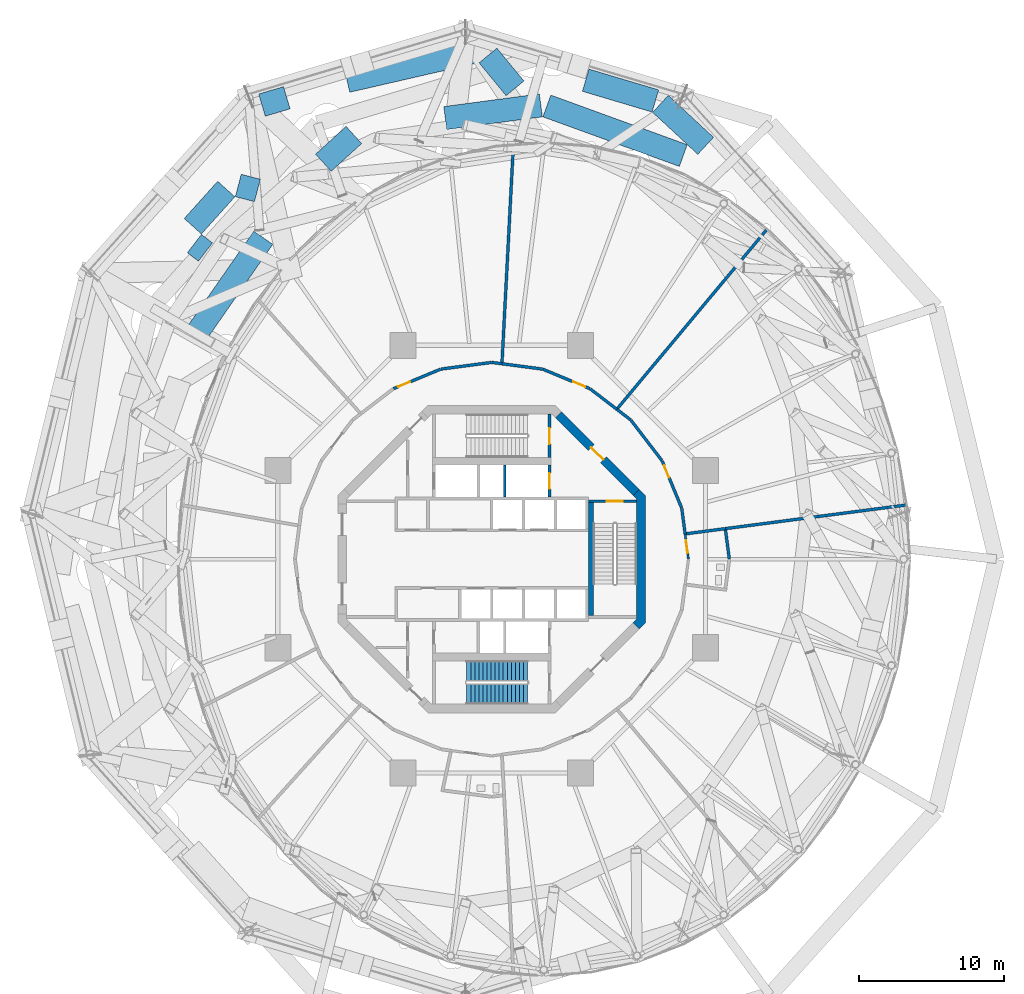
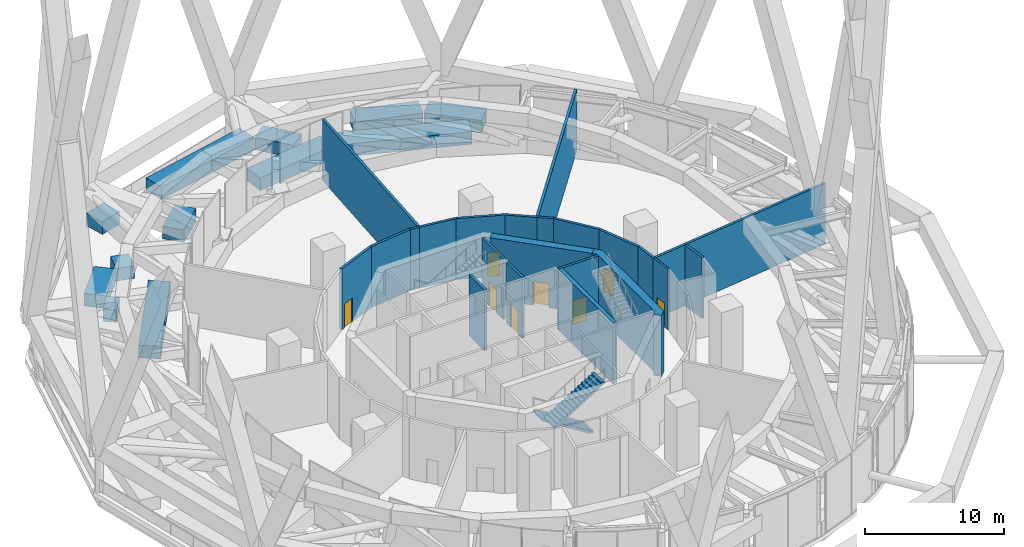
# One storey, part 51 of 60: 35 walls, 8 doors, 2 stair flights, 8 openings, 1 element without a shape of its own.
"""IFC4 building model written with IfcOpenShell, lengths in metres."""

import ifcopenshell
import ifcopenshell.guid

model = None  # the IFC model being written
_history = None  # IfcOwnerHistory: only IFC2X3 demands one
_inside = {}  # id of a spatial element -> (the spatial element, [elements in it])
_under = {}  # id of a project, library or spatial element -> (it, [spatial elements below it])
_declared = {}  # id of a project -> (the project, [libraries it declares])
_typed = {}  # id of a type object -> (the type object, [elements of that type])
_made_of = {}  # id of a material, layer set ... -> (it, [elements and type objects made of it])


def new_model(schema):
    """Start an empty IFC model of exactly this schema.

    Asked for "IFC4X3", IfcOpenShell would pick the latest addendum, in which some entities
    have other attributes; the version numbers below select the first issue.
    IFC2X3 requires an IfcOwnerHistory on every rooted entity: one is made here for all.
    """
    global model, _history
    if schema == "IFC4X3":
        model = ifcopenshell.file(schema_version=(4, 3, 0, 0))
    else:
        model = ifcopenshell.file(schema=schema)
    _inside.clear()
    _under.clear()
    _declared.clear()
    _typed.clear()
    _made_of.clear()
    _history = None
    if model.schema == "IFC2X3":
        org = make("IfcOrganization", Name="unknown")
        user = make(
            "IfcPersonAndOrganization",
            ThePerson=make("IfcPerson", FamilyName="unknown"),
            TheOrganization=org,
        )
        app = make(
            "IfcApplication",
            ApplicationDeveloper=org,
            Version="unknown",
            ApplicationFullName="unknown",
            ApplicationIdentifier="unknown",
        )
        _history = make(
            "IfcOwnerHistory",
            OwningUser=user,
            OwningApplication=app,
            ChangeAction="ADDED",
            CreationDate=0,
        )
    return model


def make(cls, **values):
    """One entity of the class cls with the attributes given. An attribute that is None is left unset."""
    return model.create_entity(
        cls, **{name: value for name, value in values.items() if value is not None}
    )


def rooted(cls, **values):
    """An entity with a GlobalId (a new one), such as an element, a storey or a relation."""
    return make(cls, GlobalId=ifcopenshell.guid.new(), OwnerHistory=_history, **values)


def si_unit(unit_type, name, prefix=None):
    """IfcSIUnit, for example si_unit("LENGTHUNIT", "METRE", prefix="MILLI")."""
    return make("IfcSIUnit", UnitType=unit_type, Prefix=prefix, Name=name)


def assignment(units):
    """IfcUnitAssignment: the units of a project."""
    return None if units is None else make("IfcUnitAssignment", Units=units)


def point(xyz):
    """IfcCartesianPoint."""
    return None if xyz is None else make("IfcCartesianPoint", Coordinates=xyz)


def direction(xyz):
    """IfcDirection."""
    return None if xyz is None else make("IfcDirection", DirectionRatios=xyz)


def frame(location, z_axis=None, x_axis=None):
    """IfcAxis2Placement3D, a coordinate frame: its origin and axes. An axis left out is left unset."""
    return make(
        "IfcAxis2Placement3D",
        Location=point(location),
        Axis=direction(z_axis),
        RefDirection=direction(x_axis),
    )


def frame_2d(location, x_axis=None):
    """IfcAxis2Placement2D, a coordinate frame in the plane: its origin and x axis."""
    return make(
        "IfcAxis2Placement2D", Location=point(location), RefDirection=direction(x_axis)
    )


def origin():
    """The frame at (0, 0, 0) with its axes left unset."""
    return frame((0.0, 0.0, 0.0))


def place(relative_to, where):
    """IfcLocalPlacement: puts the frame where relative to a parent placement (None: the world)."""
    return make(
        "IfcLocalPlacement", PlacementRelTo=relative_to, RelativePlacement=where
    )


def context(
    kind, dimensions, precision=None, world=None, true_north=None, identifier=None
):
    """IfcGeometricRepresentationContext, for example the 3D "Model" context."""
    return make(
        "IfcGeometricRepresentationContext",
        ContextIdentifier=identifier,
        ContextType=kind,
        CoordinateSpaceDimension=dimensions,
        Precision=precision,
        WorldCoordinateSystem=world,
        TrueNorth=true_north,
    )


def subcontext(parent, identifier, kind, view, scale=None):
    """IfcGeometricRepresentationSubContext, for example "Body" below "Model"."""
    return make(
        "IfcGeometricRepresentationSubContext",
        ContextIdentifier=identifier,
        ContextType=kind,
        ParentContext=parent,
        TargetScale=scale,
        TargetView=view,
    )


def project(units=None, contexts=None):
    """IfcProject with its units and contexts."""
    return rooted(
        "IfcProject",
        Name="project",
        RepresentationContexts=contexts,
        UnitsInContext=assignment(units),
    )


def spatial(cls, under=None, at=None, **own):
    """A site, building, storey or space (cls), placed at a placement, below another one or the project."""
    s = rooted(cls, ObjectPlacement=at, **own)
    if under is not None:
        _under.setdefault(under.id(), (under, []))[1].append(s)
    return s


def polyline(points):
    """IfcPolyline through the points."""
    return make("IfcPolyline", Points=[point(p) for p in points])


def profile(cls, at=None, kind="AREA", **sizes):
    """A parametric profile (cls). Its sizes go by their IFC names, for example OverallWidth=200.0."""
    return make(cls, ProfileType=kind, Position=at, **sizes)


def rectangle(**sizes):
    """IfcRectangleProfileDef."""
    return profile("IfcRectangleProfileDef", **sizes)


def outline(outer, holes=None, kind="AREA"):
    """IfcArbitraryClosedProfileDef: a profile drawn as a closed curve; with holes, ...WithVoids."""
    if holes is None:
        return make("IfcArbitraryClosedProfileDef", ProfileType=kind, OuterCurve=outer)
    return make(
        "IfcArbitraryProfileDefWithVoids",
        ProfileType=kind,
        OuterCurve=outer,
        InnerCurves=holes,
    )


def extrude(swept, where, along, depth):
    """IfcExtrudedAreaSolid: the profile swept, set in the frame where, extruded along a direction by depth."""
    return make(
        "IfcExtrudedAreaSolid",
        SweptArea=swept,
        Position=where,
        ExtrudedDirection=direction(along),
        Depth=depth,
    )


def shape(context_of_items, identifier, shape_type, items):
    """IfcShapeRepresentation: the items that make up one representation, for example the "Body"."""
    return make(
        "IfcShapeRepresentation",
        ContextOfItems=context_of_items,
        RepresentationIdentifier=identifier,
        RepresentationType=shape_type,
        Items=items,
    )


def material(Name=None, Category=None):
    """IfcMaterial."""
    return make("IfcMaterial", Name=Name, Category=Category)


def layer(
    of_material, thickness, ventilated=None, Name=None, Category=None, Priority=None
):
    """IfcMaterialLayer: one layer of a wall or slab, of a material (None: an air gap)."""
    return make(
        "IfcMaterialLayer",
        Material=of_material,
        LayerThickness=thickness,
        IsVentilated=ventilated,
        Name=Name,
        Category=Category,
        Priority=Priority,
    )


def layer_set(layers, Name=None):
    """IfcMaterialLayerSet."""
    return make("IfcMaterialLayerSet", MaterialLayers=layers, LayerSetName=Name)


def made_of(thing, what):
    """Note that an element or type object is made of a material, layer set ...; save() writes the relation."""
    if what is not None:
        _made_of.setdefault(what.id(), (what, []))[1].append(thing)
    return thing


def type_object(cls, material=None, **own):
    """A type object (cls), such as IfcWallType, which elements share."""
    return made_of(rooted(cls, **own), material)


def element(
    cls,
    number,
    at=None,
    inside=None,
    cuts=None,
    type_object=None,
    material=None,
    context=None,
    identifier="Body",
    shape_type=None,
    held_by="IfcProductDefinitionShape",
    body=None,
    shapes=None,
    **own,
):
    """One element of the class cls, such as IfcWall. Its Tag is "e" and its number.

    at: its placement. inside: the storey or other place that contains it. cuts: it is an
    opening in that element (IfcRelVoidsElement). A single representation is given by context,
    identifier, shape_type and body (its items); several are given by shapes. held_by: the class
    of the entity that holds the representations. save() writes the other relations.
    """
    e = rooted(cls, Tag="e%d" % number, ObjectPlacement=at, **own)
    if body is not None:
        shapes = [shape(context, identifier, shape_type, body)]
    if shapes is not None:
        e.Representation = make(held_by, Representations=shapes)
    if inside is not None:
        _inside.setdefault(inside.id(), (inside, []))[1].append(e)
    if cuts is not None:
        rooted(
            "IfcRelVoidsElement", RelatingBuildingElement=cuts, RelatedOpeningElement=e
        )
    if type_object is not None:
        _typed.setdefault(type_object.id(), (type_object, []))[1].append(e)
    return made_of(e, material)


def fill(opening, filler):
    """IfcRelFillsElement: the door or window that sits in an opening."""
    return rooted(
        "IfcRelFillsElement",
        RelatingOpeningElement=opening,
        RelatedBuildingElement=filler,
    )


def aggregate(whole, parts):
    """IfcRelAggregates: a whole, such as a stair, and the parts it consists of."""
    return rooted("IfcRelAggregates", RelatingObject=whole, RelatedObjects=parts)


def save(model, path):
    """Write the relations noted so far, then the file.

    IfcRelAggregates (storeys below a building ...), IfcRelContainedInSpatialStructure (elements
    in a storey), IfcRelDefinesByType, IfcRelAssociatesMaterial and IfcRelDeclares: one each for
    every whole, place, type object, material and project.
    """
    for whole, parts in _under.values():
        aggregate(whole, parts)
    for where, things in _inside.values():
        rooted(
            "IfcRelContainedInSpatialStructure",
            RelatedElements=things,
            RelatingStructure=where,
        )
    for kind, things in _typed.values():
        rooted("IfcRelDefinesByType", RelatedObjects=things, RelatingType=kind)
    for what, things in _made_of.values():
        rooted("IfcRelAssociatesMaterial", RelatedObjects=things, RelatingMaterial=what)
    for by, libraries in _declared.values():
        rooted("IfcRelDeclares", RelatingContext=by, RelatedDefinitions=libraries)
    model.write(path)


model = new_model("IFC4")

# Units and contexts
model_context = context("Model", 3, precision=1e-05, world=origin(), true_north=direction((0.0, 1.0)))
body_context = subcontext(model_context, "Body", "Model", "MODEL_VIEW")
ifc_project = project(units=[si_unit("LENGTHUNIT", "METRE"), si_unit("AREAUNIT", "SQUARE_METRE"), si_unit("VOLUMEUNIT", "CUBIC_METRE"), si_unit("PLANEANGLEUNIT", "RADIAN"), si_unit("MASSUNIT", "GRAM", prefix="KILO")], contexts=[model_context])

# Site, building, storey
site_placement = place(None, origin())
site = spatial("IfcSite", under=ifc_project, at=site_placement, CompositionType="ELEMENT")
building_placement = place(site_placement, origin())
building = spatial("IfcBuilding", under=site, at=building_placement, Name="Nagisa Residences", CompositionType="ELEMENT")
storey_placement = place(building_placement, frame((0.0, 0.0, 206.60009765625)))
storey = spatial("IfcBuildingStorey", under=building, at=storey_placement, Name="L52", CompositionType="ELEMENT", Elevation=206.60009765625)

# Wall, opening, door
ifc_material_1 = material(Name="Concrete C60", Category="concrete")
ifc_layer_1 = layer(ifc_material_1, 0.60009765625)
ifc_layer_set_1 = layer_set([ifc_layer_1], Name="Core shear wall 600")
wall_type_1 = type_object("IfcWallType", Name="Core shear wall 600", PredefinedType="SHEAR", material=ifc_layer_set_1)
wall_1_placement = place(storey_placement, frame((9.98828125, 4.613037109375, 0.0), z_axis=(0.0, 0.0, 1.0), x_axis=(-0.707106781187, 0.707106781187, 0.0)))
wall_1 = element("IfcWall", 1, at=wall_1_placement, inside=storey, type_object=wall_type_1, Name="wall:L52:core:flat1", PredefinedType="SHEAR", context=body_context, shape_type="SweptSolid", body=[
    extrude(rectangle(XDim=7.601806640625, YDim=0.60009765625, at=frame_2d((3.80078125, 0.0))), origin(), (0.0, 0.0, 1.0), 5.33984375),
])
opening_1_placement = place(wall_1_placement, frame((3.200927734375, 0.0, 0.0)))
opening_1 = element("IfcOpeningElement", 2, at=opening_1_placement, cuts=wall_1, Name="Opening L52-C18", PredefinedType="OPENING", context=body_context, shape_type="SweptSolid", body=[
    extrude(rectangle(XDim=1.199951171875, YDim=2.10009765625, at=frame_2d((0.60009765625, 1.050048828125))), frame((0.0, 0.31005859375, 0.0), z_axis=(0.0, -1.0, 0.0), x_axis=(1.0, 0.0, 0.0)), (0.0, 0.0, 1.0), 0.6201171875),
])
ifc_material_2 = material(Name="Steel fire door", Category="steel")
door_type_1 = type_object("IfcDoorType", Name="Fire door EI60 1200x2100 single swing", OperationType="NOTDEFINED", PredefinedType="DOOR", material=ifc_material_2)
door_1_placement = place(opening_1_placement, origin())
door_1 = element("IfcDoor", 3, at=door_1_placement, inside=storey, type_object=door_type_1, Name="Firefighting lobby 1 door L52", OperationType="SINGLE_SWING_LEFT", OverallHeight=2.10009765625, OverallWidth=1.199951171875, PredefinedType="DOOR", context=body_context, shape_type="SweptSolid", body=[
    extrude(rectangle(XDim=1.199951171875, YDim=2.10009765625, at=frame_2d((0.60009765625, 1.050048828125))), frame((0.0, 0.02490234375, 0.0), z_axis=(0.0, -1.0, 0.0), x_axis=(1.0, 0.0, 0.0)), (0.0, 0.0, 1.0), 0.050048828125),
])
fill(opening_1, door_1)

# Wall
wall_2_placement = place(storey_placement, origin())
element("IfcWall", 4, at=wall_2_placement, inside=storey, type_object=wall_type_1, Name="wall:L52:core:flat0", PredefinedType="SHEAR", context=body_context, shape_type="SweptSolid", body=[
    extrude(outline(polyline([(9.776123046875, -4.40087890625), (10.024658203125, -4.15234375), (10.024658203125, -3.801025390625), (10.024658203125, 4.15234375), (9.776123046875, 4.40087890625), (10.200439453125, 4.8251953125), (10.62451171875, 4.40087890625), (10.62451171875, -4.40087890625), (10.200439453125, -4.8251953125), (9.776123046875, -4.40087890625)])), origin(), (0.0, 0.0, 1.0), 5.33984375),
])

# Wall, opening, door
ifc_material_3 = material(Name="Concrete C60", Category="concrete")
ifc_layer_2 = layer(ifc_material_3, 0.199951171875)
ifc_layer_set_2 = layer_set([ifc_layer_2], Name="Lift shaft wall 200")
wall_type_2 = type_object("IfcWallType", Name="Lift shaft wall 200", PredefinedType="SOLIDWALL", material=ifc_layer_set_2)
wall_3_placement = place(storey_placement, frame((4.0, 4.300048828125, 0.0), z_axis=(0.0, 0.0, 1.0), x_axis=(0.0, 1.0, 0.0)))
wall_3 = element("IfcWall", 5, at=wall_3_placement, inside=storey, type_object=wall_type_2, Name="wall:L52:Nb3", PredefinedType="SOLIDWALL", context=body_context, shape_type="SweptSolid", body=[
    extrude(rectangle(XDim=2.199951171875, YDim=0.199951171875, at=frame_2d((1.10009765625, 0.0))), origin(), (0.0, 0.0, 1.0), 5.33984375),
])
opening_2_placement = place(wall_3_placement, frame((0.550048828125, 0.0, 0.0)))
opening_2 = element("IfcOpeningElement", 6, at=opening_2_placement, cuts=wall_3, Name="Opening L52-C05", PredefinedType="OPENING", context=body_context, shape_type="SweptSolid", body=[
    extrude(rectangle(XDim=1.10009765625, YDim=2.10009765625, at=frame_2d((0.550048828125, 1.050048828125))), frame((0.0, 0.10986328125, 0.0), z_axis=(0.0, -1.0, 0.0), x_axis=(1.0, 0.0, 0.0)), (0.0, 0.0, 1.0), 0.219970703125),
])
ifc_material_4 = material(Name="Stainless steel", Category="steel")
door_type_2 = type_object("IfcDoorType", Name="Lift landing door 1100x2100", OperationType="DOUBLE_DOOR_SLIDING", PredefinedType="DOOR", material=ifc_material_4)
door_2_placement = place(opening_2_placement, origin())
door_2 = element("IfcDoor", 7, at=door_2_placement, inside=storey, type_object=door_type_2, Name="Landing door FL1 L52", OperationType="DOUBLE_DOOR_SLIDING", OverallHeight=2.10009765625, OverallWidth=1.10009765625, PredefinedType="DOOR", context=body_context, shape_type="SweptSolid", body=[
    extrude(rectangle(XDim=1.10009765625, YDim=2.10009765625, at=frame_2d((0.550048828125, 1.050048828125))), frame((0.0, 0.02490234375, 0.0), z_axis=(0.0, -1.0, 0.0), x_axis=(1.0, 0.0, 0.0)), (0.0, 0.0, 1.0), 0.050048828125),
])
fill(opening_2, door_2)

# Walls
wall_4_placement = place(storey_placement, frame((0.89990234375, 4.300048828125, 0.0), z_axis=(0.0, 0.0, 1.0), x_axis=(0.0, 1.0, 0.0)))
element("IfcWall", 8, at=wall_4_placement, inside=storey, type_object=wall_type_2, Name="wall:L52:Nb2", PredefinedType="SOLIDWALL", context=body_context, shape_type="SweptSolid", body=[
    extrude(rectangle(XDim=2.199951171875, YDim=0.199951171875, at=frame_2d((1.10009765625, 0.0))), origin(), (0.0, 0.0, 1.0), 5.33984375),
])
ifc_material_5 = material(Name="Precast concrete C30/37", Category="concrete")
ifc_layer_3 = layer(ifc_material_5, 1.60009765625)
ifc_layer_set_3 = layer_set([ifc_layer_3], Name="PLANTER")
wall_type_3 = type_object("IfcWallType", Name="PLANTER", PredefinedType="SOLIDWALL", material=ifc_layer_set_3)
wall_5_placement = place(storey_placement, frame((-15.877197265625, 31.38330078125, 0.0), z_axis=(0.0, 0.0, 1.0), x_axis=(0.958451633996, 0.285255088106, 0.0)))
element("IfcWall", 9, at=wall_5_placement, inside=storey, type_object=wall_type_3, Name="planter:L52:deck007", PredefinedType="SOLIDWALL", context=body_context, shape_type="SweptSolid", body=[
    extrude(rectangle(XDim=1.787841796875, YDim=1.60009765625, at=frame_2d((0.89404296875, 0.0))), origin(), (0.0, 0.0, 1.0), 1.099853515625),
])
wall_6_placement = place(storey_placement, frame((-15.7880859375, 22.21484375, 0.0), z_axis=(0.0, 0.0, 1.0), x_axis=(-0.571584522967, -0.82054319393, 0.0)))
element("IfcWall", 10, at=wall_6_placement, inside=storey, type_object=wall_type_3, Name="planter:L52:deck008", PredefinedType="SOLIDWALL", context=body_context, shape_type="SweptSolid", body=[
    extrude(rectangle(XDim=8.1826171875, YDim=1.60009765625, at=frame_2d((4.09130859375, 0.0))), origin(), (0.0, 0.0, 1.0), 1.099853515625),
])
wall_7_placement = place(storey_placement, frame((-11.6357421875, 27.39990234375, 0.0), z_axis=(0.0, 0.0, 1.0), x_axis=(0.739607022458, 0.673038967914, 0.0)))
element("IfcWall", 11, at=wall_7_placement, inside=storey, type_object=wall_type_3, Name="planter:L52:deck009", PredefinedType="SOLIDWALL", context=body_context, shape_type="SweptSolid", body=[
    extrude(rectangle(XDim=2.853271484375, YDim=1.60009765625, at=frame_2d((1.4267578125, 0.0))), origin(), (0.0, 0.0, 1.0), 1.099853515625),
])
wall_8_placement = place(storey_placement, frame((-9.989013671875, 33.0517578125, 0.0), z_axis=(0.0, 0.0, 1.0), x_axis=(0.974639247517, 0.223781896494, 0.0)))
element("IfcWall", 12, at=wall_8_placement, inside=storey, type_object=wall_type_3, Name="planter:L52:deck011", PredefinedType="SOLIDWALL", context=body_context, shape_type="SweptSolid", body=[
    extrude(rectangle(XDim=9.134765625, YDim=1.60009765625, at=frame_2d((4.5673828125, 0.0))), origin(), (0.0, 0.0, 1.0), 1.099853515625),
])
wall_9_placement = place(storey_placement, frame((-0.2568359375, 34.8134765625, 0.0), z_axis=(0.0, 0.0, 1.0), x_axis=(0.635355169528, -0.772220051899, 0.0)))
element("IfcWall", 13, at=wall_9_placement, inside=storey, type_object=wall_type_3, Name="planter:L52:deck012", PredefinedType="SOLIDWALL", context=body_context, shape_type="SweptSolid", body=[
    extrude(rectangle(XDim=2.94140625, YDim=1.60009765625, at=frame_2d((1.470703125, 0.0))), origin(), (0.0, 0.0, 1.0), 1.099853515625),
])
wall_10_placement = place(storey_placement, frame((3.396484375, 31.36669921875, 0.0), z_axis=(0.0, 0.0, 1.0), x_axis=(-0.991272336645, -0.131830021626, 0.0)))
element("IfcWall", 14, at=wall_10_placement, inside=storey, type_object=wall_type_3, Name="planter:L52:deck013", PredefinedType="SOLIDWALL", context=body_context, shape_type="SweptSolid", body=[
    extrude(rectangle(XDim=6.661376953125, YDim=1.60009765625, at=frame_2d((3.33056640625, 0.0))), origin(), (0.0, 0.0, 1.0), 1.099853515625),
])
wall_11_placement = place(storey_placement, frame((6.496826171875, 33.103515625, 0.0), z_axis=(0.0, 0.0, 1.0), x_axis=(0.958456347168, -0.285239251461, 0.0)))
element("IfcWall", 15, at=wall_11_placement, inside=storey, type_object=wall_type_3, Name="planter:L52:deck014", PredefinedType="SOLIDWALL", context=body_context, shape_type="SweptSolid", body=[
    extrude(rectangle(XDim=5.02587890625, YDim=1.60009765625, at=frame_2d((2.512939453125, 0.0))), origin(), (0.0, 0.0, 1.0), 1.099853515625),
])
wall_12_placement = place(storey_placement, frame((11.663818359375, 31.47021484375, 0.0), z_axis=(0.0, 0.0, 1.0), x_axis=(0.733056421421, -0.680167834445, 0.0)))
element("IfcWall", 16, at=wall_12_placement, inside=storey, type_object=wall_type_3, Name="planter:L52:deck015", PredefinedType="SOLIDWALL", context=body_context, shape_type="SweptSolid", body=[
    extrude(rectangle(XDim=4.265380859375, YDim=1.60009765625, at=frame_2d((2.1328125, 0.0))), origin(), (0.0, 0.0, 1.0), 1.099853515625),
])
wall_13_placement = place(storey_placement, frame((13.244140625, 27.896484375, 0.0), z_axis=(0.0, 0.0, 1.0), x_axis=(-0.939927628881, 0.341373772376, 0.0)))
element("IfcWall", 17, at=wall_13_placement, inside=storey, type_object=wall_type_3, Name="planter:L52:deck016", PredefinedType="SOLIDWALL", context=body_context, shape_type="SweptSolid", body=[
    extrude(rectangle(XDim=10.033203125, YDim=1.60009765625, at=frame_2d((5.0166015625, 0.0))), origin(), (0.0, 0.0, 1.0), 1.099853515625),
])
wall_14_placement = place(storey_placement, frame((-20.660888671875, 23.00927734375, 0.0), z_axis=(0.0, 0.0, 1.0), x_axis=(0.669081592888, 0.743188954478, 0.0)))
element("IfcWall", 18, at=wall_14_placement, inside=storey, type_object=wall_type_3, Name="planter:L52:deck119", PredefinedType="SOLIDWALL", context=body_context, shape_type="SweptSolid", body=[
    extrude(rectangle(XDim=3.46240234375, YDim=1.60009765625, at=frame_2d((1.731201171875, 0.0))), origin(), (0.0, 0.0, 1.0), 1.099853515625),
])
wall_15_placement = place(storey_placement, frame((-19.784423828125, 21.226806640625, 0.0), z_axis=(0.0, 0.0, 1.0), x_axis=(-0.794580939868, 0.607158241316, 0.0)))
element("IfcWall", 19, at=wall_15_placement, inside=storey, type_object=wall_type_3, Name="planter:L52:deck120", PredefinedType="SOLIDWALL", context=body_context, shape_type="SweptSolid", body=[
    extrude(rectangle(XDim=0.962646484375, YDim=1.60009765625, at=frame_2d((0.4814453125, 0.0))), origin(), (0.0, 0.0, 1.0), 1.099853515625),
])
wall_16_placement = place(storey_placement, frame((-17.513916015625, 25.830810546875, 0.0), z_axis=(0.0, 0.0, 1.0), x_axis=(0.96726449212, -0.253770373141, 0.0)))
element("IfcWall", 20, at=wall_16_placement, inside=storey, type_object=wall_type_3, Name="planter:L52:deck121", PredefinedType="SOLIDWALL", context=body_context, shape_type="SweptSolid", body=[
    extrude(rectangle(XDim=1.36328125, YDim=1.60009765625, at=frame_2d((0.681640625, 0.0))), origin(), (0.0, 0.0, 1.0), 1.099853515625),
])

# Wall, opening, door
ifc_material_6 = material(Name="Gypsum board on steel studs", Category="steel")
ifc_layer_4 = layer(ifc_material_6, 0.199951171875)
ifc_layer_set_4 = layer_set([ifc_layer_4], Name="Plant room wall EI120 200")
wall_type_4 = type_object("IfcWallType", Name="Plant room wall EI120 200", PredefinedType="PARTITIONING", material=ifc_layer_set_4)
wall_17_placement = place(storey_placement, frame((-6.785888671875, 11.78369140625, 0.0), z_axis=(0.0, 0.0, 1.0), x_axis=(0.92386297064, 0.382723413813, 0.0)))
wall_17 = element("IfcWall", 21, at=wall_17_placement, inside=storey, type_object=wall_type_4, Name="wall:L52:am020", PredefinedType="PARTITIONING", context=body_context, shape_type="SweptSolid", body=[
    extrude(rectangle(XDim=3.52001953125, YDim=0.199951171875, at=frame_2d((1.760009765625, 0.0))), origin(), (0.0, 0.0, 1.0), 5.33984375),
])
opening_3_placement = place(wall_17_placement, frame((0.34228515625, 0.0, 0.0)))
opening_3 = element("IfcOpeningElement", 22, at=opening_3_placement, cuts=wall_17, Name="Opening L52-A03", PredefinedType="OPENING", context=body_context, shape_type="SweptSolid", body=[
    extrude(rectangle(XDim=0.89990234375, YDim=2.10009765625, at=frame_2d((0.449951171875, 1.050048828125))), frame((0.0, 0.10986328125, 0.0), z_axis=(0.0, -1.0, 0.0), x_axis=(1.0, 0.0, 0.0)), (0.0, 0.0, 1.0), 0.219970703125),
])
ifc_material_7 = material(Name="Steel fire door", Category="steel")
door_type_3 = type_object("IfcDoorType", Name="Fire door EI120 900x2100 single swing", OperationType="NOTDEFINED", PredefinedType="DOOR", material=ifc_material_7)
door_3_placement = place(opening_3_placement, origin())
door_3 = element("IfcDoor", 23, at=door_3_placement, inside=storey, type_object=door_type_3, Name="Chilled water pump room door", OperationType="SINGLE_SWING_LEFT", OverallHeight=2.10009765625, OverallWidth=0.89990234375, PredefinedType="DOOR", context=body_context, shape_type="SweptSolid", body=[
    extrude(rectangle(XDim=0.89990234375, YDim=2.10009765625, at=frame_2d((0.449951171875, 1.050048828125))), frame((0.0, 0.02490234375, 0.0), z_axis=(0.0, -1.0, 0.0), x_axis=(1.0, 0.0, 0.0)), (0.0, 0.0, 1.0), 0.050048828125),
])
fill(opening_3, door_3)

# Walls
wall_18_placement = place(storey_placement, frame((-3.5048828125, 13.138671875, 0.0), z_axis=(0.0, 0.0, 1.0), x_axis=(0.991452406768, 0.130468866457, 0.0)))
element("IfcWall", 24, at=wall_18_placement, inside=storey, type_object=wall_type_4, Name="wall:L52:am022", PredefinedType="PARTITIONING", context=body_context, shape_type="SweptSolid", body=[
    extrude(rectangle(XDim=3.519775390625, YDim=0.199951171875, at=frame_2d((1.759765625, 0.0))), origin(), (0.0, 0.0, 1.0), 5.33984375),
])
wall_19_placement = place(storey_placement, frame((0.01513671875, 13.597900390625, 0.0), z_axis=(0.0, 0.0, 1.0), x_axis=(0.991473310532, -0.130309917135, 0.0)))
element("IfcWall", 25, at=wall_19_placement, inside=storey, type_object=wall_type_4, Name="wall:L52:am026", PredefinedType="PARTITIONING", context=body_context, shape_type="SweptSolid", body=[
    extrude(rectangle(XDim=0.69873046875, YDim=0.199951171875, at=frame_2d((0.349365234375, 0.0))), origin(), (0.0, 0.0, 1.0), 5.33984375),
])
wall_20_placement = place(storey_placement, frame((0.713134765625, 13.60693359375, 0.0), z_axis=(0.0, 0.0, 1.0), x_axis=(0.052330372828, 0.998629827353, 0.0)))
element("IfcWall", 26, at=wall_20_placement, inside=storey, type_object=wall_type_4, Name="wall:L52:am028", PredefinedType="PARTITIONING", context=body_context, shape_type="SweptSolid", body=[
    extrude(rectangle(XDim=15.03173828125, YDim=0.199951171875, at=frame_2d((7.515869140625, 0.0))), origin(), (0.0, 0.0, 1.0), 5.33984375),
])
wall_21_placement = place(storey_placement, frame((0.7080078125, 13.5068359375, 0.0), z_axis=(0.0, 0.0, 1.0), x_axis=(0.991447224467, -0.130508241489, 0.0)))
element("IfcWall", 27, at=wall_21_placement, inside=storey, type_object=wall_type_4, Name="wall:L52:am029", PredefinedType="PARTITIONING", context=body_context, shape_type="SweptSolid", body=[
    extrude(rectangle(XDim=2.821044921875, YDim=0.199951171875, at=frame_2d((1.41064453125, 0.0))), origin(), (0.0, 0.0, 1.0), 5.33984375),
])

# Wall, opening, door
wall_22_placement = place(storey_placement, frame((3.533935546875, 13.130859375, 0.0), z_axis=(0.0, 0.0, 1.0), x_axis=(0.92386297064, -0.382723413813, 0.0)))
wall_22 = element("IfcWall", 28, at=wall_22_placement, inside=storey, type_object=wall_type_4, Name="wall:L52:am033", PredefinedType="PARTITIONING", context=body_context, shape_type="SweptSolid", body=[
    extrude(rectangle(XDim=3.52001953125, YDim=0.199951171875, at=frame_2d((1.760009765625, 0.0))), origin(), (0.0, 0.0, 1.0), 5.33984375),
])
opening_4_placement = place(wall_22_placement, frame((2.277587890625, 0.0, 0.0)))
opening_4 = element("IfcOpeningElement", 29, at=opening_4_placement, cuts=wall_22, Name="Opening L52-A02", PredefinedType="OPENING", context=body_context, shape_type="SweptSolid", body=[
    extrude(rectangle(XDim=0.89990234375, YDim=2.10009765625, at=frame_2d((0.449951171875, 1.050048828125))), frame((0.0, 0.10986328125, 0.0), z_axis=(0.0, -1.0, 0.0), x_axis=(1.0, 0.0, 0.0)), (0.0, 0.0, 1.0), 0.219970703125),
])
door_4_placement = place(opening_4_placement, origin())
door_4 = element("IfcDoor", 30, at=door_4_placement, inside=storey, type_object=door_type_3, Name="Transformer room door", OperationType="SINGLE_SWING_RIGHT", OverallHeight=2.10009765625, OverallWidth=0.89990234375, PredefinedType="DOOR", context=body_context, shape_type="SweptSolid", body=[
    extrude(rectangle(XDim=0.89990234375, YDim=2.10009765625, at=frame_2d((0.449951171875, 1.050048828125))), frame((0.0, 0.02490234375, 0.0), z_axis=(0.0, -1.0, 0.0), x_axis=(1.0, 0.0, 0.0)), (0.0, 0.0, 1.0), 0.050048828125),
])
fill(opening_4, door_4)

# Walls
wall_23_placement = place(storey_placement, frame((6.81201171875, 11.7685546875, 0.0), z_axis=(0.0, 0.0, 1.0), x_axis=(0.793388779929, -0.60871524039, 0.0)))
element("IfcWall", 31, at=wall_23_placement, inside=storey, type_object=wall_type_4, Name="wall:L52:am035", PredefinedType="PARTITIONING", context=body_context, shape_type="SweptSolid", body=[
    extrude(rectangle(XDim=2.312255859375, YDim=0.199951171875, at=frame_2d((1.15625, 0.0))), origin(), (0.0, 0.0, 1.0), 5.33984375),
])
wall_24_placement = place(storey_placement, frame((8.646484375, 10.361083984375, 0.0), z_axis=(0.0, 0.0, 1.0), x_axis=(0.793427379392, -0.608664927223, 0.0)))
element("IfcWall", 32, at=wall_24_placement, inside=storey, type_object=wall_type_4, Name="wall:L52:am038", PredefinedType="PARTITIONING", context=body_context, shape_type="SweptSolid", body=[
    extrude(rectangle(XDim=1.207763671875, YDim=0.199951171875, at=frame_2d((0.60400390625, 0.0))), origin(), (0.0, 0.0, 1.0), 5.33984375),
])
wall_25_placement = place(storey_placement, frame((8.710693359375, 10.437744140625, 0.0), z_axis=(0.0, 0.0, 1.0), x_axis=(0.640724447671, 0.767770917759, 0.0)))
element("IfcWall", 33, at=wall_25_placement, inside=storey, type_object=wall_type_4, Name="wall:L52:am039", PredefinedType="PARTITIONING", context=body_context, shape_type="SweptSolid", body=[
    extrude(rectangle(XDim=16.092041015625, YDim=0.199951171875, at=frame_2d((8.0458984375, 0.0))), origin(), (0.0, 0.0, 1.0), 5.33984375),
])
wall_26_placement = place(storey_placement, frame((9.6259765625, 9.604736328125, 0.0), z_axis=(0.0, 0.0, 1.0), x_axis=(0.608697977542, -0.793402024283, 0.0)))
element("IfcWall", 34, at=wall_26_placement, inside=storey, type_object=wall_type_4, Name="wall:L52:am041", PredefinedType="PARTITIONING", context=body_context, shape_type="SweptSolid", body=[
    extrude(rectangle(XDim=3.52001953125, YDim=0.199951171875, at=frame_2d((1.760009765625, 0.0))), origin(), (0.0, 0.0, 1.0), 5.33984375),
])

# Wall, opening, door
wall_27_placement = place(storey_placement, frame((11.78369140625, 6.785888671875, 0.0), z_axis=(0.0, 0.0, 1.0), x_axis=(0.382723413813, -0.92386297064, 0.0)))
wall_27 = element("IfcWall", 35, at=wall_27_placement, inside=storey, type_object=wall_type_4, Name="wall:L52:am043", PredefinedType="PARTITIONING", context=body_context, shape_type="SweptSolid", body=[
    extrude(rectangle(XDim=3.52001953125, YDim=0.199951171875, at=frame_2d((1.760009765625, 0.0))), origin(), (0.0, 0.0, 1.0), 5.33984375),
])
opening_5_placement = place(wall_27_placement, frame((0.34228515625, 0.0, 0.0)))
opening_5 = element("IfcOpeningElement", 36, at=opening_5_placement, cuts=wall_27, Name="Opening L52-A01", PredefinedType="OPENING", context=body_context, shape_type="SweptSolid", body=[
    extrude(rectangle(XDim=0.89990234375, YDim=2.10009765625, at=frame_2d((0.449951171875, 1.050048828125))), frame((0.0, 0.10986328125, 0.0), z_axis=(0.0, -1.0, 0.0), x_axis=(1.0, 0.0, 0.0)), (0.0, 0.0, 1.0), 0.219970703125),
])
door_5_placement = place(opening_5_placement, origin())
door_5 = element("IfcDoor", 37, at=door_5_placement, inside=storey, type_object=door_type_3, Name="Fire pump room door", OperationType="SINGLE_SWING_LEFT", OverallHeight=2.10009765625, OverallWidth=0.89990234375, PredefinedType="DOOR", context=body_context, shape_type="SweptSolid", body=[
    extrude(rectangle(XDim=0.89990234375, YDim=2.10009765625, at=frame_2d((0.449951171875, 1.050048828125))), frame((0.0, 0.02490234375, 0.0), z_axis=(0.0, -1.0, 0.0), x_axis=(1.0, 0.0, 0.0)), (0.0, 0.0, 1.0), 0.050048828125),
])
fill(opening_5, door_5)

# Walls
wall_28_placement = place(storey_placement, frame((13.138671875, 3.5048828125, 0.0), z_axis=(0.0, 0.0, 1.0), x_axis=(0.130504367157, -0.991447734454, 0.0)))
element("IfcWall", 38, at=wall_28_placement, inside=storey, type_object=wall_type_4, Name="wall:L52:am045", PredefinedType="PARTITIONING", context=body_context, shape_type="SweptSolid", body=[
    extrude(rectangle(XDim=1.7734375, YDim=0.199951171875, at=frame_2d((0.88671875, 0.0))), origin(), (0.0, 0.0, 1.0), 5.33984375),
])
wall_29_placement = place(storey_placement, frame((13.46923828125, 1.759765625, 0.0), z_axis=(0.0, 0.0, 1.0), x_axis=(0.991581239991, 0.129486078394, 0.0)))
element("IfcWall", 39, at=wall_29_placement, inside=storey, type_object=wall_type_4, Name="wall:L52:am047", PredefinedType="PARTITIONING", context=body_context, shape_type="SweptSolid", body=[
    extrude(rectangle(XDim=2.699951171875, YDim=0.199951171875, at=frame_2d((1.35009765625, 0.0))), origin(), (0.0, 0.0, 1.0), 5.33984375),
])
wall_30_placement = place(storey_placement, frame((16.15966796875, 2.01025390625, 0.0), z_axis=(0.0, 0.0, 1.0), x_axis=(0.130423128531, -0.991458424516, 0.0)))
element("IfcWall", 40, at=wall_30_placement, inside=storey, type_object=wall_type_4, Name="wall:L52:am049", PredefinedType="PARTITIONING", context=body_context, shape_type="SweptSolid", body=[
    extrude(rectangle(XDim=2.01220703125, YDim=0.199951171875, at=frame_2d((1.006103515625, 0.0))), origin(), (0.0, 0.0, 1.0), 5.33984375),
])
wall_31_placement = place(storey_placement, frame((28.6591796875, 3.744140625, 0.0), z_axis=(0.0, 0.0, 1.0), x_axis=(-0.991573202769, -0.129547611132, 0.0)))
element("IfcWall", 41, at=wall_31_placement, inside=storey, type_object=wall_type_4, Name="wall:L52:am051", PredefinedType="PARTITIONING", context=body_context, shape_type="SweptSolid", body=[
    extrude(rectangle(XDim=12.619140625, YDim=0.199951171875, at=frame_2d((6.3095703125, 0.0))), origin(), (0.0, 0.0, 1.0), 5.33984375),
])

# Wall, opening, door
ifc_material_8 = material(Name="Gypsum board on steel studs", Category="steel")
ifc_layer_5 = layer(ifc_material_8, 0.14990234375)
ifc_layer_set_5 = layer_set([ifc_layer_5], Name="Room partition EI60 150")
wall_type_5 = type_object("IfcWallType", Name="Room partition EI60 150", PredefinedType="PARTITIONING", material=ifc_layer_set_5)
wall_32_placement = place(storey_placement, frame((13.3701171875, 1.74658203125, 0.0), z_axis=(0.0, 0.0, 1.0), x_axis=(0.130454512571, -0.991454295543, 0.0)))
wall_32 = element("IfcWall", 42, at=wall_32_placement, inside=storey, type_object=wall_type_5, Name="wall:L52:am002", PredefinedType="PARTITIONING", context=body_context, shape_type="SweptSolid", body=[
    extrude(rectangle(XDim=1.749755859375, YDim=0.14990234375, at=frame_2d((0.875, 0.0))), origin(), (0.0, 0.0, 1.0), 5.33984375),
])
opening_6_placement = place(wall_32_placement, frame((0.430908203125, 0.0, 0.0)))
opening_6 = element("IfcOpeningElement", 43, at=opening_6_placement, cuts=wall_32, Name="Opening L52-A10", PredefinedType="OPENING", context=body_context, shape_type="SweptSolid", body=[
    extrude(rectangle(XDim=0.89990234375, YDim=2.10009765625, at=frame_2d((0.449951171875, 1.050048828125))), frame((0.0, 0.0849609375, 0.0), z_axis=(0.0, -1.0, 0.0), x_axis=(1.0, 0.0, 0.0)), (0.0, 0.0, 1.0), 0.169921875),
])
ifc_material_9 = material(Name="Steel fire door", Category="steel")
door_type_4 = type_object("IfcDoorType", Name="Fire door EI30 900x2100 single swing", OperationType="NOTDEFINED", PredefinedType="DOOR", material=ifc_material_9)
door_6_placement = place(opening_6_placement, origin())
door_6 = element("IfcDoor", 44, at=door_6_placement, inside=storey, type_object=door_type_4, Name="Refuge WC door", OperationType="SINGLE_SWING_RIGHT", OverallHeight=2.10009765625, OverallWidth=0.89990234375, PredefinedType="DOOR", context=body_context, shape_type="SweptSolid", body=[
    extrude(rectangle(XDim=0.89990234375, YDim=2.10009765625, at=frame_2d((0.449951171875, 1.050048828125))), frame((0.0, 0.02490234375, 0.0), z_axis=(0.0, -1.0, 0.0), x_axis=(1.0, 0.0, 0.0)), (0.0, 0.0, 1.0), 0.050048828125),
])
fill(opening_6, door_6)

ifc_material_10 = material(Name="Concrete C60", Category="concrete")
ifc_layer_6 = layer(ifc_material_10, 0.199951171875)
ifc_layer_set_6 = layer_set([ifc_layer_6], Name="Stair enclosure wall 200")
wall_type_6 = type_object("IfcWallType", Name="Stair enclosure wall 200", PredefinedType="SOLIDWALL", material=ifc_layer_set_6)
wall_33_placement = place(storey_placement, frame((6.699951171875, 4.0, 0.0), z_axis=(0.0, 0.0, 1.0), x_axis=(1.0, 0.0, 0.0)))
wall_33 = element("IfcWall", 45, at=wall_33_placement, inside=storey, type_object=wall_type_6, Name="wall:L52:SE_n", PredefinedType="SOLIDWALL", context=body_context, shape_type="SweptSolid", body=[
    extrude(rectangle(XDim=3.32470703125, YDim=0.199951171875, at=frame_2d((1.662353515625, 0.0))), origin(), (0.0, 0.0, 1.0), 5.33984375),
])
opening_7_placement = place(wall_33_placement, frame((1.25, 0.0, 0.0)))
opening_7 = element("IfcOpeningElement", 46, at=opening_7_placement, cuts=wall_33, Name="Opening L52-C08", PredefinedType="OPENING", context=body_context, shape_type="SweptSolid", body=[
    extrude(rectangle(XDim=1.10009765625, YDim=2.10009765625, at=frame_2d((0.550048828125, 1.050048828125))), frame((0.0, 0.10986328125, 0.0), z_axis=(0.0, -1.0, 0.0), x_axis=(1.0, 0.0, 0.0)), (0.0, 0.0, 1.0), 0.219970703125),
])
ifc_material_11 = material(Name="Steel fire door", Category="steel")
door_type_5 = type_object("IfcDoorType", Name="Fire door EI90 1100x2100 single swing", OperationType="NOTDEFINED", PredefinedType="DOOR", material=ifc_material_11)
door_7_placement = place(opening_7_placement, frame((1.10009765625, 0.0, 0.0), x_axis=(-1.0, 0.0, 0.0)))
door_7 = element("IfcDoor", 47, at=door_7_placement, inside=storey, type_object=door_type_5, Name="Stair door ST-E L52", OperationType="SINGLE_SWING_RIGHT", OverallHeight=2.10009765625, OverallWidth=1.10009765625, PredefinedType="DOOR", context=body_context, shape_type="SweptSolid", body=[
    extrude(rectangle(XDim=1.10009765625, YDim=2.10009765625, at=frame_2d((0.550048828125, 1.050048828125))), frame((0.0, 0.02490234375, 0.0), z_axis=(0.0, -1.0, 0.0), x_axis=(1.0, 0.0, 0.0)), (0.0, 0.0, 1.0), 0.050048828125),
])
fill(opening_7, door_7)

wall_34_placement = place(storey_placement, frame((4.0, 7.024658203125, 0.0), z_axis=(0.0, 0.0, 1.0), x_axis=(0.0, 1.0, 0.0)))
wall_34 = element("IfcWall", 48, at=wall_34_placement, inside=storey, type_object=wall_type_6, Name="wall:L52:SN_e", PredefinedType="SOLIDWALL", context=body_context, shape_type="SweptSolid", body=[
    extrude(rectangle(XDim=3.0, YDim=0.199951171875, at=frame_2d((1.5, 0.0))), origin(), (0.0, 0.0, 1.0), 5.33984375),
])
opening_8_placement = place(wall_34_placement, frame((0.92529296875, 0.0, 0.0)))
opening_8 = element("IfcOpeningElement", 49, at=opening_8_placement, cuts=wall_34, Name="Opening L52-C09", PredefinedType="OPENING", context=body_context, shape_type="SweptSolid", body=[
    extrude(rectangle(XDim=1.10009765625, YDim=2.10009765625, at=frame_2d((0.550048828125, 1.050048828125))), frame((0.0, 0.10986328125, 0.0), z_axis=(0.0, -1.0, 0.0), x_axis=(1.0, 0.0, 0.0)), (0.0, 0.0, 1.0), 0.219970703125),
])
door_8_placement = place(opening_8_placement, origin())
door_8 = element("IfcDoor", 50, at=door_8_placement, inside=storey, type_object=door_type_5, Name="Stair door ST-N L52", OperationType="SINGLE_SWING_LEFT", OverallHeight=2.10009765625, OverallWidth=1.10009765625, PredefinedType="DOOR", context=body_context, shape_type="SweptSolid", body=[
    extrude(rectangle(XDim=1.10009765625, YDim=2.10009765625, at=frame_2d((0.550048828125, 1.050048828125))), frame((0.0, 0.02490234375, 0.0), z_axis=(0.0, -1.0, 0.0), x_axis=(1.0, 0.0, 0.0)), (0.0, 0.0, 1.0), 0.050048828125),
])
fill(opening_8, door_8)

# Wall
wall_35_placement = place(storey_placement, origin())
element("IfcWall", 51, at=wall_35_placement, inside=storey, type_object=wall_type_6, Name="wall:L52:SE_w", PredefinedType="SOLIDWALL", context=body_context, shape_type="SweptSolid", body=[
    extrude(outline(polyline([(7.024658203125, -3.89990234375), (6.699951171875, -3.89990234375), (6.699951171875, 3.89990234375), (7.024658203125, 3.89990234375), (7.024658203125, -3.89990234375)])), origin(), (0.0, 0.0, 1.0), 5.33984375),
])

# Stair, stair flights
ifc_material_12 = material(Name="Concrete C60", Category="concrete")
stair_type = type_object("IfcStairType", Name="Exit stair", PredefinedType="HALF_TURN_STAIR", material=ifc_material_12)
stair_placement = place(storey_placement, origin())
stair = element("IfcStair", 52, at=stair_placement, inside=storey, type_object=stair_type, Name="L52 Exit stair S", PredefinedType="HALF_TURN_STAIR")
ifc_material_13 = material(Name="Concrete C60", Category="concrete")
stair_flight_type = type_object("IfcStairFlightType", Name="Exit stair flight", PredefinedType="STRAIGHT", material=ifc_material_13)
stair_flight_1_placement = place(storey_placement, frame((2.47509765625, -7.737060546875, 0.0), z_axis=(0.0, 0.0, 1.0), x_axis=(-1.0, 0.0, 0.0)))
stair_flight_1 = element("IfcStairFlight", 53, at=stair_flight_1_placement, type_object=stair_flight_type, Name="ST-S flight 1", NumberOfRisers=16, NumberOfTreads=15, PredefinedType="STRAIGHT", RiserHeight=0.175, TreadLength=0.28, context=body_context, shape_type="SweptSolid", body=[
    extrude(outline(polyline([(0.0, 0.0), (0.0, 0.175048828125), (0.280029296875, 0.175048828125), (0.280029296875, 0.35009765625), (0.56005859375, 0.35009765625), (0.56005859375, 0.52490234375), (0.840087890625, 0.52490234375), (0.840087890625, 0.699951171875), (1.1201171875, 0.699951171875), (1.1201171875, 0.875), (1.39990234375, 0.875), (1.39990234375, 1.050048828125), (1.679931640625, 1.050048828125), (1.679931640625, 1.22509765625), (1.9599609375, 1.22509765625), (1.9599609375, 1.39990234375), (2.239990234375, 1.39990234375), (2.239990234375, 1.574951171875), (2.52001953125, 1.574951171875), (2.52001953125, 1.75), (2.800048828125, 1.75), (2.800048828125, 1.925048828125), (3.080078125, 1.925048828125), (3.080078125, 2.10009765625), (3.360107421875, 2.10009765625), (3.360107421875, 2.27490234375), (3.639892578125, 2.27490234375), (3.639892578125, 2.449951171875), (3.919921875, 2.449951171875), (3.919921875, 2.625), (4.199951171875, 2.625), (4.199951171875, 2.800048828125), (4.199951171875, 2.4482421875), (0.28271484375, 0.0), (0.0, 0.0)])), frame((0.0, 0.71240234375, 0.0), z_axis=(0.0, -1.0, 0.0), x_axis=(1.0, 0.0, 0.0)), (0.0, 0.0, 1.0), 1.425048828125),
])
stair_flight_2_placement = place(storey_placement, frame((-1.72509765625, -9.31201171875, 2.7998046875), z_axis=(0.0, 0.0, 1.0), x_axis=(1.0, 0.0, 0.0)))
stair_flight_2 = element("IfcStairFlight", 54, at=stair_flight_2_placement, type_object=stair_flight_type, Name="ST-S flight 2", NumberOfRisers=16, NumberOfTreads=15, PredefinedType="STRAIGHT", RiserHeight=0.175, TreadLength=0.28, context=body_context, shape_type="SweptSolid", body=[
    extrude(outline(polyline([(0.0, 0.0), (0.0, 0.175048828125), (0.280029296875, 0.175048828125), (0.280029296875, 0.35009765625), (0.56005859375, 0.35009765625), (0.56005859375, 0.52490234375), (0.840087890625, 0.52490234375), (0.840087890625, 0.699951171875), (1.1201171875, 0.699951171875), (1.1201171875, 0.875), (1.39990234375, 0.875), (1.39990234375, 1.050048828125), (1.679931640625, 1.050048828125), (1.679931640625, 1.22509765625), (1.9599609375, 1.22509765625), (1.9599609375, 1.39990234375), (2.239990234375, 1.39990234375), (2.239990234375, 1.574951171875), (2.52001953125, 1.574951171875), (2.52001953125, 1.75), (2.800048828125, 1.75), (2.800048828125, 1.925048828125), (3.080078125, 1.925048828125), (3.080078125, 2.10009765625), (3.360107421875, 2.10009765625), (3.360107421875, 2.27490234375), (3.639892578125, 2.27490234375), (3.639892578125, 2.449951171875), (3.919921875, 2.449951171875), (3.919921875, 2.625), (4.199951171875, 2.625), (4.199951171875, 2.800048828125), (4.199951171875, 2.4482421875), (0.28271484375, 0.0), (0.0, 0.0)])), frame((0.0, 0.71240234375, 0.0), z_axis=(0.0, -1.0, 0.0), x_axis=(1.0, 0.0, 0.0)), (0.0, 0.0, 1.0), 1.425048828125),
])
aggregate(stair, [stair_flight_1, stair_flight_2])

save(model, "model.ifc")
